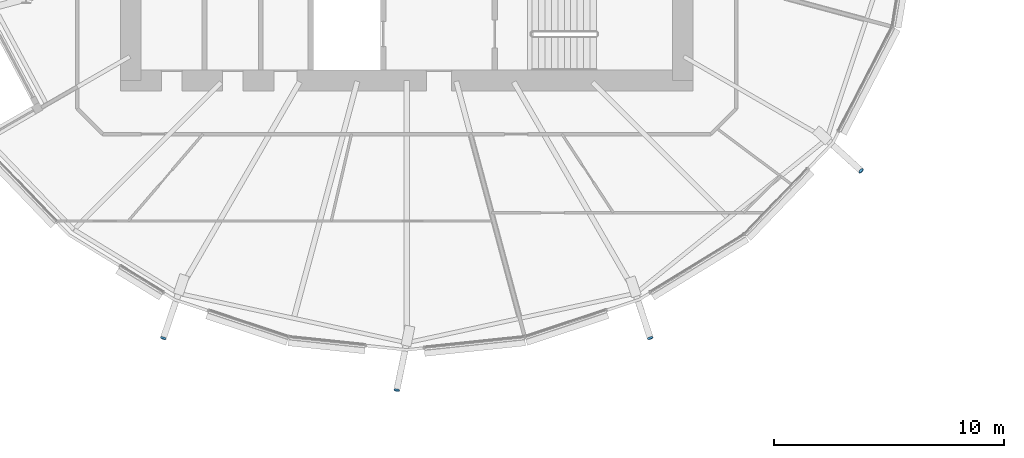
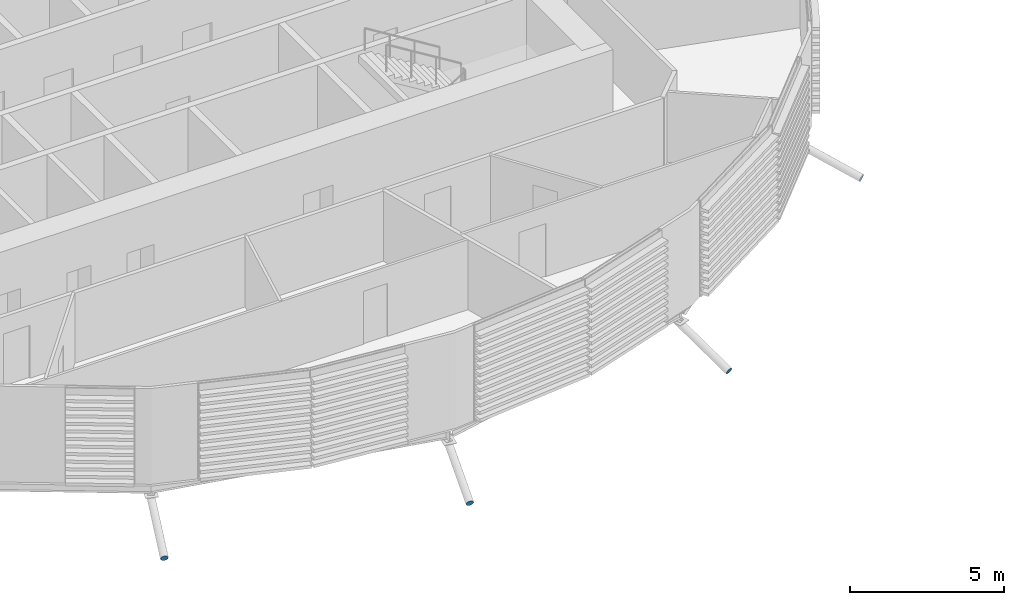
# One storey, part 26 of 36: 4 discrete accessories.
"""IFC4 building model written with IfcOpenShell, lengths in metres."""

from ifc_helpers import new_model, si_unit, direction, frame, origin, origin_2d, place, context, subcontext, project, spatial, circle, extrude, material, material_profile, profile_set, type_object, element, save


model = new_model("IFC4")

# Units and contexts
model_context = context("Model", 3, precision=1e-05, world=origin(), true_north=direction((0.0, 1.0)))
body_context = subcontext(model_context, "Body", "Model", "MODEL_VIEW")
ifc_project = project(units=[si_unit("LENGTHUNIT", "METRE"), si_unit("AREAUNIT", "SQUARE_METRE"), si_unit("VOLUMEUNIT", "CUBIC_METRE"), si_unit("PLANEANGLEUNIT", "RADIAN"), si_unit("MASSUNIT", "GRAM", prefix="KILO")], contexts=[model_context])

# Site, building, storey
site_placement = place(None, origin())
site = spatial("IfcSite", under=ifc_project, at=site_placement, CompositionType="ELEMENT")
building_placement = place(site_placement, origin())
building = spatial("IfcBuilding", under=site, at=building_placement, Name="Rimbun Link Towers", CompositionType="ELEMENT")
storey_placement = place(building_placement, frame((0.0, 0.0, 33.800048828125)))
storey = spatial("IfcBuildingStorey", under=building, at=storey_placement, Name="L07", CompositionType="ELEMENT", Elevation=33.800048828125)

# Discrete accessories
ifc_material = material(Name="Steel S355J2H", Category="steel")
ifc_material_profile = material_profile(ifc_material, circle(Radius=0.1240234375, at=origin_2d()), Name="PL D248")
ifc_profile_set = profile_set([ifc_material_profile], Name="Steel S355J2H")
discrete_accessory_type = type_object("IfcDiscreteAccessoryType", Name="Link foot sealing plate D248X20", PredefinedType="BRACKET", material=ifc_profile_set)
for number, where, z_axis, x_axis, name in (
    (1, (-42.3349609375, -19.1962890625, -1.77685546875), (-0.294085848838, -0.882257546513, -0.367607311047), (0.948683298051, -0.316227766017, 0.0), "Link foot sealing plate T1 L07 16"),
    (2, (-32.181884765625, -21.455810546875, -1.777587890625), (-0.182913228255, -0.902371926058, -0.390214886944), (0.980067977123, -0.198662427795, 0.0), "Link foot sealing plate T1 L07 18"),
    (3, (-21.162841796875, -19.193115234375, -1.769287109375), (0.291385758707, -0.874157276122, -0.388514344943), (0.948683298051, 0.316227766017, 0.0), "Link foot sealing plate T1 L07 20"),
    (4, (-11.9951171875, -11.919189453125, -1.734130859375), (0.66721831481, -0.594430862285, -0.448855957236), (0.665206042149, 0.746659843228, 0.0), "Link foot sealing plate T1 L07 22"),
):
    element("IfcDiscreteAccessory", number, at=place(storey_placement, frame(where, z_axis=z_axis, x_axis=x_axis)), inside=storey, type_object=discrete_accessory_type, Name=name, PredefinedType="BRACKET", context=body_context, shape_type="SweptSolid", body=[
        extrude(circle(Radius=0.1240234375, at=origin_2d()), origin(), (0.0, 0.0, 1.0), 0.02001953125),
    ])

save(model, "model.ifc")
